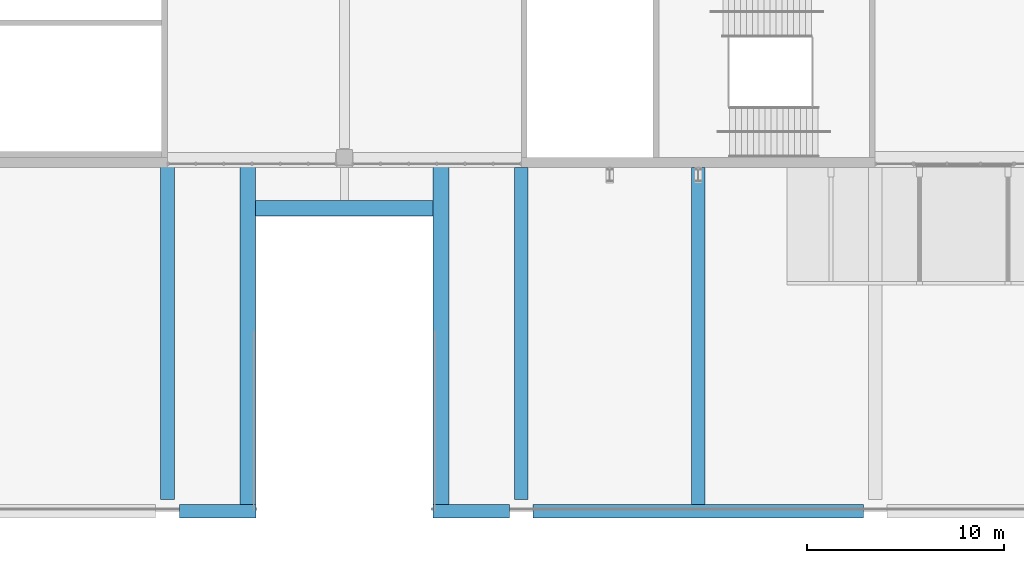
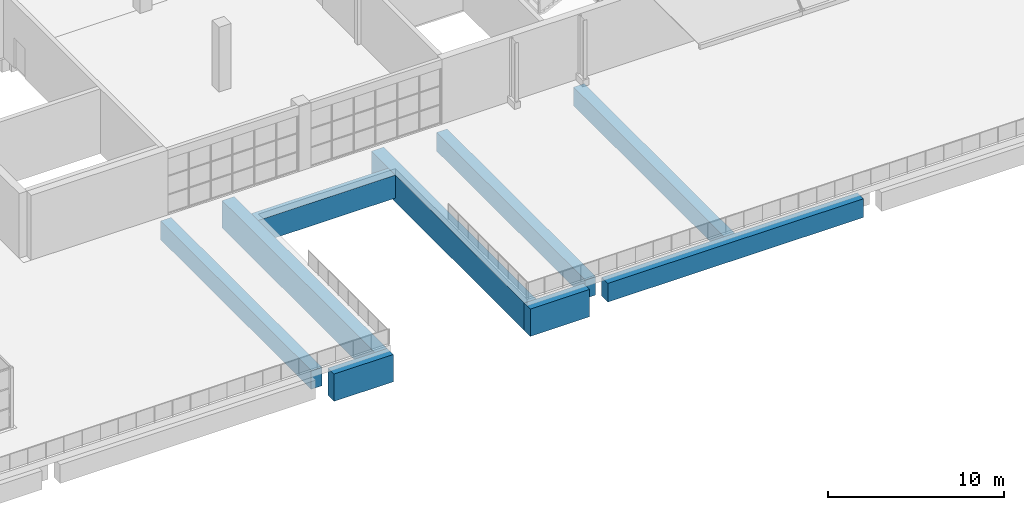
# One storey, part 18 of 168: 9 beams.
"""IFC4 building model written with IfcOpenShell, lengths in metres."""

from ifc_helpers import new_model, si_unit, direction, frame, origin, origin_2d, place, context, subcontext, project, spatial, rectangle, extrude, material, material_profile, profile_set, type_object, element, save


model = new_model("IFC4")

# Units and contexts
model_context = context("Model", 3, precision=1e-05, world=origin(), true_north=direction((0.0, 1.0)))
body_context = subcontext(model_context, "Body", "Model", "MODEL_VIEW")
ifc_project = project(units=[si_unit("LENGTHUNIT", "METRE"), si_unit("AREAUNIT", "SQUARE_METRE"), si_unit("VOLUMEUNIT", "CUBIC_METRE"), si_unit("PLANEANGLEUNIT", "RADIAN"), si_unit("MASSUNIT", "GRAM", prefix="KILO")], contexts=[model_context])

# Site, building, storey
site_placement = place(None, origin())
site = spatial("IfcSite", under=ifc_project, at=site_placement, CompositionType="ELEMENT")
building_placement = place(site_placement, origin())
building = spatial("IfcBuilding", under=site, at=building_placement, Name="Silverbay Arena", CompositionType="ELEMENT")
storey_placement = place(building_placement, frame((0.0, 0.0, 7.0)))
storey = spatial("IfcBuildingStorey", under=building, at=storey_placement, Name="L01", CompositionType="ELEMENT", Elevation=7.0)

# Beams
ifc_material_1 = material(Name="Concrete Grade C45", Category="concrete")
ifc_material_profile_1 = material_profile(ifc_material_1, rectangle(XDim=0.699951171875, YDim=1.89990234375, at=origin_2d()), Name="RC 700x1900")
ifc_profile_set_1 = profile_set([ifc_material_profile_1], Name="Concrete Grade C45")
beam_type_1 = type_object("IfcBeamType", Name="RC deck edge girder 700x1900", PredefinedType="BEAM", material=ifc_profile_set_1)
for number, where, z_axis, x_axis, name in (
    (1, (36.60009765625, 0.0, -1.39990234375), (1.0, 0.0, 0.0), (0.0, 1.0, 0.0), "Deck girder 139"),
    (2, (49.5, 0.0, -1.39990234375), (1.0, 0.0, 0.0), (0.0, 1.0, 0.0), "Deck girder 139"),
):
    element("IfcBeam", number, at=place(storey_placement, frame(where, z_axis=z_axis, x_axis=x_axis)), inside=storey, type_object=beam_type_1, Name=name, PredefinedType="BEAM", context=body_context, shape_type="SweptSolid", body=[
        extrude(rectangle(XDim=0.699951171875, YDim=1.89990234375, at=origin_2d()), origin(), (0.0, 0.0, 1.0), 3.89990234375),
    ])
ifc_material_2 = material(Name="Concrete Grade C45", Category="concrete")
ifc_material_profile_2 = material_profile(ifc_material_2, rectangle(XDim=0.699951171875, YDim=1.300048828125, at=origin_2d()), Name="RC 700x1300")
ifc_profile_set_2 = profile_set([ifc_material_profile_2], Name="Concrete Grade C45")
beam_type_2 = type_object("IfcBeamType", Name="RC girder 700x1300", PredefinedType="BEAM", material=ifc_profile_set_2)
beam_1_placement = place(storey_placement, frame((36.0, 0.60009765625, -1.10009765625), z_axis=(0.0, 1.0, 0.0), x_axis=(-1.0, 0.0, 0.0)))
element("IfcBeam", 3, at=beam_1_placement, inside=storey, type_object=beam_type_2, Name="Deck secondary beam 099", PredefinedType="BEAM", context=body_context, shape_type="SweptSolid", body=[
    extrude(rectangle(XDim=0.699951171875, YDim=1.300048828125, at=origin_2d()), origin(), (0.0, 0.0, 1.0), 17.14990234375),
])
beam_2_placement = place(storey_placement, frame((54.0, 0.60009765625, -1.10009765625), z_axis=(0.0, 1.0, 0.0), x_axis=(-1.0, 0.0, 0.0)))
element("IfcBeam", 4, at=beam_2_placement, inside=storey, type_object=beam_type_2, Name="Deck secondary beam 103", PredefinedType="BEAM", context=body_context, shape_type="SweptSolid", body=[
    extrude(rectangle(XDim=0.699951171875, YDim=1.300048828125, at=origin_2d()), origin(), (0.0, 0.0, 1.0), 16.89990234375),
])
beam_3_placement = place(storey_placement, frame((63.0, 0.35009765625, -1.10009765625), z_axis=(0.0, 1.0, 0.0), x_axis=(-1.0, 0.0, 0.0)))
element("IfcBeam", 5, at=beam_3_placement, inside=storey, type_object=beam_type_2, Name="Deck secondary beam 105", PredefinedType="BEAM", context=body_context, shape_type="SweptSolid", body=[
    extrude(rectangle(XDim=0.699951171875, YDim=1.300048828125, at=origin_2d()), origin(), (0.0, 0.0, 1.0), 17.14990234375),
])
beam_4_placement = place(storey_placement, frame((54.60009765625, 0.0, -1.10009765625), z_axis=(1.0, 0.0, 0.0), x_axis=(0.0, 1.0, 0.0)))
element("IfcBeam", 6, at=beam_4_placement, inside=storey, type_object=beam_type_2, Name="Deck girder 139", PredefinedType="BEAM", context=body_context, shape_type="SweptSolid", body=[
    extrude(rectangle(XDim=0.699951171875, YDim=1.300048828125, at=origin_2d()), origin(), (0.0, 0.0, 1.0), 16.7998046875),
])
ifc_material_3 = material(Name="Concrete Grade C45", Category="concrete")
ifc_material_profile_3 = material_profile(ifc_material_3, rectangle(XDim=0.800048828125, YDim=1.60009765625, at=origin_2d()), Name="RC 800x1600")
ifc_profile_set_3 = profile_set([ifc_material_profile_3], Name="Concrete Grade C45")
beam_type_3 = type_object("IfcBeamType", Name="RC trimmer beam 800x1600", PredefinedType="BEAM", material=ifc_profile_set_3)
beam_5_placement = place(storey_placement, frame((40.489990234375, 15.409912109375, -1.25), z_axis=(1.0, 0.0, 0.0), x_axis=(0.0, 1.0, 0.0)))
element("IfcBeam", 7, at=beam_5_placement, inside=storey, type_object=beam_type_3, Name="Deck head trimmer 055", PredefinedType="BEAM", context=body_context, shape_type="SweptSolid", body=[
    extrude(rectangle(XDim=0.800048828125, YDim=1.60009765625, at=origin_2d()), origin(), (0.0, 0.0, 1.0), 9.02001953125),
])
ifc_material_4 = material(Name="Concrete Grade C45", Category="concrete")
ifc_material_profile_4 = material_profile(ifc_material_4, rectangle(XDim=0.800048828125, YDim=1.89990234375, at=origin_2d()), Name="RC 800x1900")
ifc_profile_set_4 = profile_set([ifc_material_profile_4], Name="Concrete Grade C45")
beam_type_4 = type_object("IfcBeamType", Name="RC trimmer girder 800x1900", PredefinedType="BEAM", material=ifc_profile_set_4)
for number, where, z_axis, x_axis, name in (
    (8, (40.090087890625, 0.35009765625, -1.39990234375), (0.0, 1.0, 0.0), (-1.0, 0.0, 0.0), "Deck trimmer 053"),
    (9, (49.909912109375, 0.35009765625, -1.39990234375), (0.0, 1.0, 0.0), (-1.0, 0.0, 0.0), "Deck trimmer 054"),
):
    element("IfcBeam", number, at=place(storey_placement, frame(where, z_axis=z_axis, x_axis=x_axis)), inside=storey, type_object=beam_type_4, Name=name, PredefinedType="BEAM", context=body_context, shape_type="SweptSolid", body=[
        extrude(rectangle(XDim=0.800048828125, YDim=1.89990234375, at=origin_2d()), origin(), (0.0, 0.0, 1.0), 17.39990234375),
    ])

save(model, "model.ifc")
